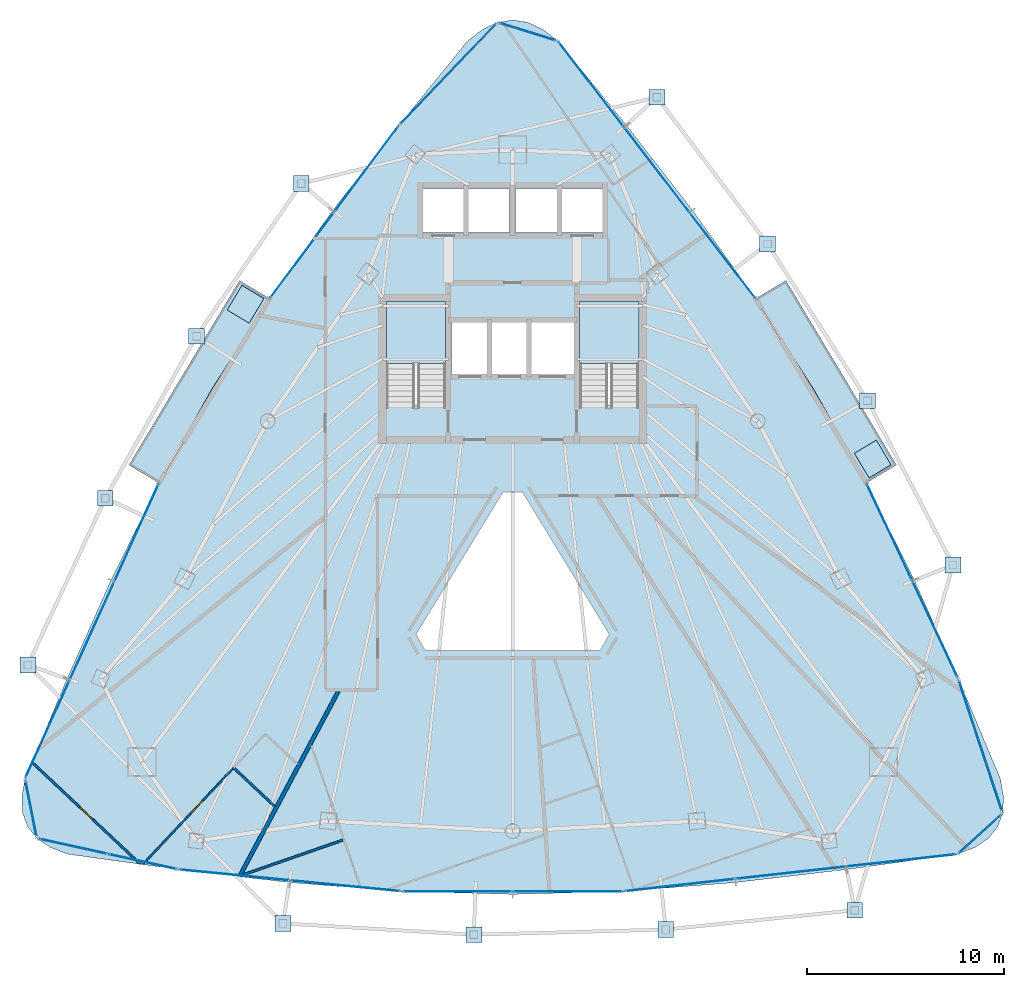
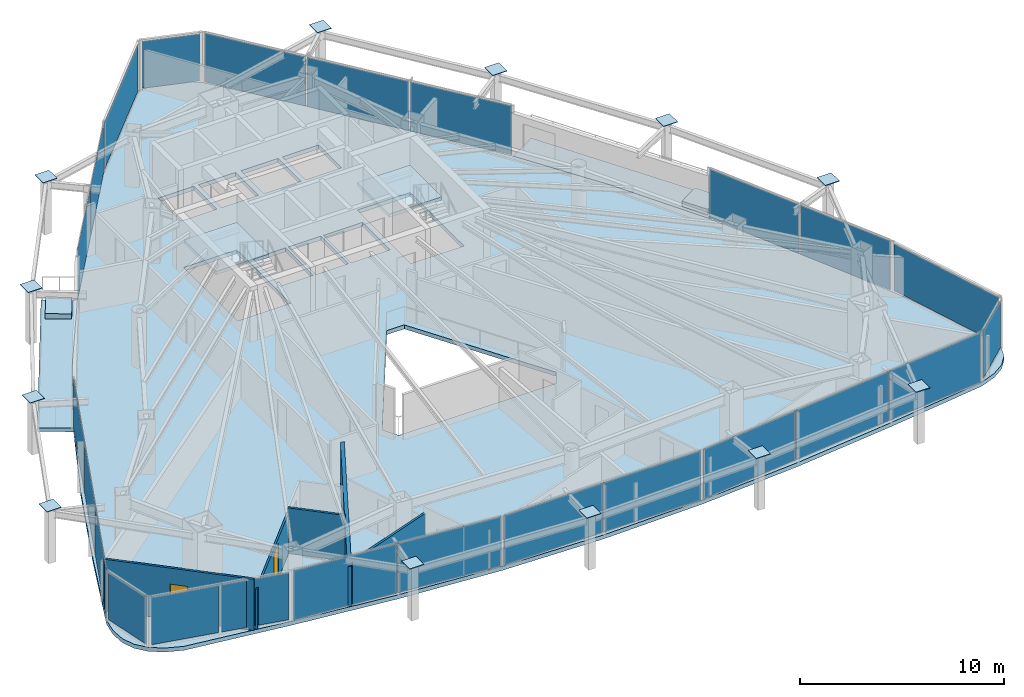
# One storey, part 23 of 29: 36 plates, 7 slabs, 5 walls, 2 doors, 2 openings, 15 elements without a shape of their own.
"""IFC4 building model written with IfcOpenShell, lengths in metres."""

from ifc_helpers import new_model, si_unit, direction, frame, frame_2d, origin, origin_2d, place, context, subcontext, project, spatial, polyline, rectangle, outline, extrude, material, layer, layer_set, type_object, element, fill, aggregate, save


model = new_model("IFC4")

# Units and contexts
model_context = context("Model", 3, precision=1e-05, world=origin(), true_north=direction((0.0, 1.0)))
body_context = subcontext(model_context, "Body", "Model", "MODEL_VIEW")
ifc_project = project(units=[si_unit("LENGTHUNIT", "METRE"), si_unit("AREAUNIT", "SQUARE_METRE"), si_unit("VOLUMEUNIT", "CUBIC_METRE"), si_unit("PLANEANGLEUNIT", "RADIAN"), si_unit("MASSUNIT", "GRAM", prefix="KILO")], contexts=[model_context])

# Site, building, storey
site_placement = place(None, origin())
site = spatial("IfcSite", under=ifc_project, at=site_placement, CompositionType="ELEMENT")
building_placement = place(site_placement, origin())
building = spatial("IfcBuilding", under=site, at=building_placement, Name="Orvanel Arch Residences", CompositionType="ELEMENT")
storey_placement = place(building_placement, frame((0.0, 0.0, 167.14990234375)))
storey = spatial("IfcBuildingStorey", under=building, at=storey_placement, Name="L47", CompositionType="ELEMENT", Elevation=167.14990234375)

# Plates
ifc_material_1 = material(Name="Structural steel AS/NZS 3678 Grade 350", Category="steel")
ifc_layer_1 = layer(ifc_material_1, 0.031982421875)
ifc_layer_set_1 = layer_set([ifc_layer_1], Name="Structural steel AS/NZS 3678 Grade 350")
plate_type_1 = type_object("IfcPlateType", Name="PL-CAP-32", PredefinedType="SHEET", material=ifc_layer_set_1)
for number, where, z_axis, x_axis, name in (
    (1, (22.27392578125, 39.69189453125, 3.2841796875), (0.0, 0.0, 1.0), (1.0, 0.0, 0.0), "L47 hollow member end cap plate"),
    (2, (16.958984375, 31.947998046875, 3.2841796875), (0.0, 0.0, 1.0), (1.0, 0.0, 0.0), "L47 hollow member end cap plate"),
    (3, (12.337890625, 23.73291015625, 3.2841796875), (0.0, 0.0, 1.0), (1.0, 0.0, 0.0), "L47 hollow member end cap plate"),
    (4, (8.408935546875, 15.27197265625, 3.2841796875), (0.0, 0.0, 1.0), (1.0, 0.0, 0.0), "L47 hollow member end cap plate"),
    (5, (21.345947265625, 2.1640625, 3.2841796875), (0.0, 0.0, 1.0), (1.0, 0.0, 0.0), "L47 hollow member end cap plate"),
    (6, (31.031005859375, 1.591064453125, 3.2841796875), (0.0, 0.0, 1.0), (1.0, 0.0, 0.0), "L47 hollow member end cap plate"),
    (7, (40.761962890625, 1.85302734375, 3.2841796875), (0.0, 0.0, 1.0), (1.0, 0.0, 0.0), "L47 hollow member end cap plate"),
    (8, (50.35302734375, 2.8349609375, 3.2841796875), (0.0, 0.0, 1.0), (1.0, 0.0, 0.0), "L47 hollow member end cap plate"),
    (9, (55.33203125, 20.343994140625, 3.2841796875), (0.0, 0.0, 1.0), (1.0, 0.0, 0.0), "L47 hollow member end cap plate"),
    (10, (51.0009765625, 28.678955078125, 3.2841796875), (0.0, 0.0, 1.0), (1.0, 0.0, 0.0), "L47 hollow member end cap plate"),
    (11, (45.929931640625, 36.6240234375, 3.2841796875), (0.0, 0.0, 1.0), (1.0, 0.0, 0.0), "L47 hollow member end cap plate"),
    (12, (40.31494140625, 44.072998046875, 3.2841796875), (0.0, 0.0, 1.0), (1.0, 0.0, 0.0), "L47 hollow member end cap plate"),
):
    element("IfcPlate", number, at=place(storey_placement, frame(where, z_axis=z_axis, x_axis=x_axis)), inside=storey, type_object=plate_type_1, Name=name, PredefinedType="SHEET", context=body_context, shape_type="SweptSolid", body=[
        extrude(rectangle(XDim=0.800048828125, YDim=0.800048828125, at=origin_2d()), origin(), (0.0, 0.0, 1.0), 0.031982421875),
    ])

# Curtain wall, plates
ifc_material_2 = material(Name="Bronze-anodised aluminium AA6063-T6", Category="aluminium")
ifc_layer_2 = layer(ifc_material_2, 0.179931640625)
ifc_layer_set_2 = layer_set([ifc_layer_2], Name="Bronze-anodised aluminium AA6063-T6")
curtain_wall_type_1 = type_object("IfcCurtainWallType", Name="CW3-MID-SYS", PredefinedType="NOTDEFINED", material=ifc_layer_set_2)
curtain_wall_1_placement = place(storey_placement, origin())
curtain_wall_1 = element("IfcCurtainWall", 13, at=curtain_wall_1_placement, inside=storey, type_object=curtain_wall_type_1, Name="L47 CW3-MID-SYS Unitised Curtain Wall", PredefinedType="NOTDEFINED")
ifc_material_3 = material(Name="Double-glazed solar-control low-E safety glass", Category="glass")
ifc_layer_3 = layer(ifc_material_3, 0.028076171875)
ifc_layer_set_3 = layer_set([ifc_layer_3], Name="Double-glazed solar-control low-E safety glass")
plate_type_2 = type_object("IfcPlateType", Name="PNL-GLZ-28", PredefinedType="CURTAIN_PANEL", material=ifc_layer_set_3)
plate_1_placement = place(storey_placement, frame((25.57177734375, 40.421875, 0.06005859375), z_axis=(0.0, 0.0, 1.0), x_axis=(-0.598064221794, -0.801448180864, 0.0)))
plate_1 = element("IfcPlate", 14, at=plate_1_placement, type_object=plate_type_2, Name="CW-S3 panel 1.1", PredefinedType="CURTAIN_PANEL", context=body_context, shape_type="SweptSolid", body=[
    extrude(rectangle(XDim=5.355224609375, YDim=0.028076171875, at=origin_2d()), origin(), (0.0, 0.0, 1.0), 2.93994140625),
])
plate_2_placement = place(storey_placement, frame((22.3271484375, 36.073974609375, 0.06005859375), z_axis=(0.0, 0.0, 1.0), x_axis=(-0.598064221794, -0.801448180864, 0.0)))
plate_2 = element("IfcPlate", 15, at=plate_2_placement, type_object=plate_type_2, Name="CW-S3 panel 2.1", PredefinedType="CURTAIN_PANEL", context=body_context, shape_type="SweptSolid", body=[
    extrude(rectangle(XDim=5.355224609375, YDim=0.028076171875, at=origin_2d()), origin(), (0.0, 0.0, 1.0), 2.93994140625),
])
aggregate(curtain_wall_1, [plate_1, plate_2])

curtain_wall_2_placement = place(storey_placement, origin())
curtain_wall_2 = element("IfcCurtainWall", 16, at=curtain_wall_2_placement, inside=storey, type_object=curtain_wall_type_1, Name="L47 CW3-MID-SYS Unitised Curtain Wall", PredefinedType="NOTDEFINED")
plate_3_placement = place(storey_placement, frame((13.917236328125, 21.977783203125, 0.06005859375), z_axis=(0.0, 0.0, 1.0), x_axis=(-0.412967925551, -0.910745569556, 0.0)))
plate_3 = element("IfcPlate", 17, at=plate_3_placement, type_object=plate_type_2, Name="CW-S3 panel 1.1", PredefinedType="CURTAIN_PANEL", context=body_context, shape_type="SweptSolid", body=[
    extrude(rectangle(XDim=5.3701171875, YDim=0.028076171875, at=origin_2d()), origin(), (0.0, 0.0, 1.0), 2.93994140625),
])
plate_4_placement = place(storey_placement, frame((11.66357421875, 17.007568359375, 0.06005859375), z_axis=(0.0, 0.0, 1.0), x_axis=(-0.412967925551, -0.910745569556, 0.0)))
plate_4 = element("IfcPlate", 18, at=plate_4_placement, type_object=plate_type_2, Name="CW-S3 panel 2.1", PredefinedType="CURTAIN_PANEL", context=body_context, shape_type="SweptSolid", body=[
    extrude(rectangle(XDim=5.405029296875, YDim=0.028076171875, at=origin_2d()), origin(), (0.0, 0.0, 1.0), 2.93994140625),
])
plate_5_placement = place(storey_placement, frame((9.40966796875, 12.037109375, 0.06005859375), z_axis=(0.0, 0.0, 1.0), x_axis=(-0.412967925551, -0.910745569556, 0.0)))
plate_5 = element("IfcPlate", 19, at=plate_5_placement, type_object=plate_type_2, Name="CW-S3 panel 3.1", PredefinedType="CURTAIN_PANEL", context=body_context, shape_type="SweptSolid", body=[
    extrude(rectangle(XDim=5.3701171875, YDim=0.028076171875, at=origin_2d()), origin(), (0.0, 0.0, 1.0), 2.93994140625),
])
aggregate(curtain_wall_2, [plate_3, plate_4, plate_5])

curtain_wall_3_placement = place(storey_placement, origin())
curtain_wall_3 = element("IfcCurtainWall", 20, at=curtain_wall_3_placement, inside=storey, type_object=curtain_wall_type_1, Name="L47 CW3-MID-SYS Unitised Curtain Wall", PredefinedType="NOTDEFINED")
plate_6_placement = place(storey_placement, frame((18.924072265625, 4.617431640625, 0.06005859375), z_axis=(0.0, 0.0, 1.0), x_axis=(0.995256463457, -0.097286031613, 0.0)))
plate_6 = element("IfcPlate", 21, at=plate_6_placement, type_object=plate_type_2, Name="CW-S3 panel 1.1", PredefinedType="CURTAIN_PANEL", context=body_context, shape_type="SweptSolid", body=[
    extrude(rectangle(XDim=5.543212890625, YDim=0.028076171875, at=origin_2d()), origin(), (0.0, 0.0, 1.0), 2.93994140625),
])
plate_7_placement = place(storey_placement, frame((24.5107421875, 4.071533203125, 0.06005859375), z_axis=(0.0, 0.0, 1.0), x_axis=(0.995256463457, -0.097286031613, 0.0)))
plate_7 = element("IfcPlate", 22, at=plate_7_placement, type_object=plate_type_2, Name="CW-S3 panel 2.1", PredefinedType="CURTAIN_PANEL", context=body_context, shape_type="SweptSolid", body=[
    extrude(rectangle(XDim=5.543212890625, YDim=0.028076171875, at=origin_2d()), origin(), (0.0, 0.0, 1.0), 2.93994140625),
])
aggregate(curtain_wall_3, [plate_6, plate_7])

curtain_wall_4_placement = place(storey_placement, origin())
curtain_wall_4 = element("IfcCurtainWall", 23, at=curtain_wall_4_placement, inside=storey, type_object=curtain_wall_type_1, Name="L47 CW3-MID-SYS Unitised Curtain Wall", PredefinedType="NOTDEFINED")
plate_8_placement = place(storey_placement, frame((30.20703125, 3.79296875, 0.06005859375), z_axis=(0.0, 0.0, 1.0), x_axis=(1.0, 0.0, 0.0)))
plate_8 = element("IfcPlate", 24, at=plate_8_placement, type_object=plate_type_2, Name="CW-S3 panel 1.1", PredefinedType="CURTAIN_PANEL", context=body_context, shape_type="SweptSolid", body=[
    extrude(rectangle(XDim=5.51611328125, YDim=0.028076171875, at=origin_2d()), origin(), (0.0, 0.0, 1.0), 2.93994140625),
])
plate_9_placement = place(storey_placement, frame((35.79296875, 3.79296875, 0.06005859375), z_axis=(0.0, 0.0, 1.0), x_axis=(1.0, 0.0, 0.0)))
plate_9 = element("IfcPlate", 25, at=plate_9_placement, type_object=plate_type_2, Name="CW-S3 panel 2.1", PredefinedType="CURTAIN_PANEL", context=body_context, shape_type="SweptSolid", body=[
    extrude(rectangle(XDim=5.51611328125, YDim=0.028076171875, at=origin_2d()), origin(), (0.0, 0.0, 1.0), 2.93994140625),
])
aggregate(curtain_wall_4, [plate_8, plate_9])

curtain_wall_5_placement = place(storey_placement, origin())
curtain_wall_5 = element("IfcCurtainWall", 26, at=curtain_wall_5_placement, inside=storey, type_object=curtain_wall_type_1, Name="L47 CW3-MID-SYS Unitised Curtain Wall", PredefinedType="NOTDEFINED")
plate_10_placement = place(storey_placement, frame((41.492431640625, 4.110107421875, 0.06005859375), z_axis=(0.0, 0.0, 1.0), x_axis=(0.993864337228, 0.11060596361, 0.0)))
plate_10 = element("IfcPlate", 27, at=plate_10_placement, type_object=plate_type_2, Name="CW-S3 panel 1.1", PredefinedType="CURTAIN_PANEL", context=body_context, shape_type="SweptSolid", body=[
    extrude(rectangle(XDim=5.557861328125, YDim=0.028076171875, at=origin_2d()), origin(), (0.0, 0.0, 1.0), 2.93994140625),
])
plate_11_placement = place(storey_placement, frame((47.10302734375, 4.734619140625, 0.06005859375), z_axis=(0.0, 0.0, 1.0), x_axis=(0.993864337228, 0.11060596361, 0.0)))
plate_11 = element("IfcPlate", 28, at=plate_11_placement, type_object=plate_type_2, Name="CW-S3 panel 2.1", PredefinedType="CURTAIN_PANEL", context=body_context, shape_type="SweptSolid", body=[
    extrude(rectangle(XDim=5.5927734375, YDim=0.028076171875, at=origin_2d()), origin(), (0.0, 0.0, 1.0), 2.93994140625),
])
plate_12_placement = place(storey_placement, frame((52.713623046875, 5.35888671875, 0.06005859375), z_axis=(0.0, 0.0, 1.0), x_axis=(0.993864337228, 0.11060596361, 0.0)))
plate_12 = element("IfcPlate", 29, at=plate_12_placement, type_object=plate_type_2, Name="CW-S3 panel 3.1", PredefinedType="CURTAIN_PANEL", context=body_context, shape_type="SweptSolid", body=[
    extrude(rectangle(XDim=5.557861328125, YDim=0.028076171875, at=origin_2d()), origin(), (0.0, 0.0, 1.0), 2.93994140625),
])
aggregate(curtain_wall_5, [plate_10, plate_11, plate_12])

curtain_wall_6_placement = place(storey_placement, origin())
curtain_wall_6 = element("IfcCurtainWall", 30, at=curtain_wall_6_placement, inside=storey, type_object=curtain_wall_type_1, Name="L47 CW3-MID-SYS Unitised Curtain Wall", PredefinedType="NOTDEFINED")
plate_13_placement = place(storey_placement, frame((54.423095703125, 17.09130859375, 0.06005859375), z_axis=(0.0, 0.0, 1.0), x_axis=(-0.42547064908, 0.904972224309, 0.0)))
plate_13 = element("IfcPlate", 31, at=plate_13_placement, type_object=plate_type_2, Name="CW-S3 panel 1.1", PredefinedType="CURTAIN_PANEL", context=body_context, shape_type="SweptSolid", body=[
    extrude(rectangle(XDim=5.354736328125, YDim=0.028076171875, at=origin_2d()), origin(), (0.0, 0.0, 1.0), 2.93994140625),
])
plate_14_placement = place(storey_placement, frame((52.114990234375, 22.000732421875, 0.06005859375), z_axis=(0.0, 0.0, 1.0), x_axis=(-0.42547064908, 0.904972224309, 0.0)))
plate_14 = element("IfcPlate", 32, at=plate_14_placement, type_object=plate_type_2, Name="CW-S3 panel 2.1", PredefinedType="CURTAIN_PANEL", context=body_context, shape_type="SweptSolid", body=[
    extrude(rectangle(XDim=5.354736328125, YDim=0.028076171875, at=origin_2d()), origin(), (0.0, 0.0, 1.0), 2.93994140625),
])
aggregate(curtain_wall_6, [plate_13, plate_14])

curtain_wall_7_placement = place(storey_placement, origin())
curtain_wall_7 = element("IfcCurtainWall", 33, at=curtain_wall_7_placement, inside=storey, type_object=curtain_wall_type_1, Name="L47 CW3-MID-SYS Unitised Curtain Wall", PredefinedType="NOTDEFINED")
plate_15_placement = place(storey_placement, frame((43.637939453125, 36.056884765625, 0.06005859375), z_axis=(0.0, 0.0, 1.0), x_axis=(-0.609098555317, 0.793094540336, 0.0)))
plate_15 = element("IfcPlate", 34, at=plate_15_placement, type_object=plate_type_2, Name="CW-S3 panel 1.1", PredefinedType="CURTAIN_PANEL", context=body_context, shape_type="SweptSolid", body=[
    extrude(rectangle(XDim=5.369873046875, YDim=0.028076171875, at=origin_2d()), origin(), (0.0, 0.0, 1.0), 2.93994140625),
])
plate_16_placement = place(storey_placement, frame((40.31396484375, 40.385009765625, 0.06005859375), z_axis=(0.0, 0.0, 1.0), x_axis=(-0.609098555317, 0.793094540336, 0.0)))
plate_16 = element("IfcPlate", 35, at=plate_16_placement, type_object=plate_type_2, Name="CW-S3 panel 2.1", PredefinedType="CURTAIN_PANEL", context=body_context, shape_type="SweptSolid", body=[
    extrude(rectangle(XDim=5.40478515625, YDim=0.028076171875, at=origin_2d()), origin(), (0.0, 0.0, 1.0), 2.93994140625),
])
plate_17_placement = place(storey_placement, frame((36.989990234375, 44.713134765625, 0.06005859375), z_axis=(0.0, 0.0, 1.0), x_axis=(-0.609098555317, 0.793094540336, 0.0)))
plate_17 = element("IfcPlate", 36, at=plate_17_placement, type_object=plate_type_2, Name="CW-S3 panel 3.1", PredefinedType="CURTAIN_PANEL", context=body_context, shape_type="SweptSolid", body=[
    extrude(rectangle(XDim=5.369873046875, YDim=0.028076171875, at=origin_2d()), origin(), (0.0, 0.0, 1.0), 2.93994140625),
])
aggregate(curtain_wall_7, [plate_15, plate_16, plate_17])

# Curtain wall, plate
ifc_layer_4 = layer(ifc_material_2, 0.18994140625)
ifc_layer_set_4 = layer_set([ifc_layer_4], Name="Bronze-anodised aluminium AA6063-T6")
curtain_wall_type_2 = type_object("IfcCurtainWallType", Name="CW5-CRN-SYS", PredefinedType="NOTDEFINED", material=ifc_layer_set_4)
curtain_wall_8_placement = place(storey_placement, origin())
curtain_wall_8 = element("IfcCurtainWall", 37, at=curtain_wall_8_placement, inside=storey, type_object=curtain_wall_type_2, Name="L47 CW5-CRN-SYS Unitised Curtain Wall", PredefinedType="NOTDEFINED")
ifc_layer_5 = layer(ifc_material_3, 0.031982421875)
ifc_layer_set_5 = layer_set([ifc_layer_5], Name="Double-glazed solar-control low-E safety glass")
plate_type_3 = type_object("IfcPlateType", Name="PNL-GLZ-32", PredefinedType="CURTAIN_PANEL", material=ifc_layer_set_5)
plate_18_placement = place(storey_placement, frame((33.7666015625, 47.39111328125, 0.1298828125), z_axis=(0.0, 0.0, 1.0), x_axis=(-0.954888565426, 0.296964354122, 0.0)))
plate_18 = element("IfcPlate", 38, at=plate_18_placement, type_object=plate_type_3, Name="CW-S5 panel 1.1", PredefinedType="CURTAIN_PANEL", context=body_context, shape_type="SweptSolid", body=[
    extrude(rectangle(XDim=2.8720703125, YDim=0.031982421875, at=origin_2d()), origin(), (0.0, 0.0, 1.0), 2.800048828125),
])
aggregate(curtain_wall_8, [plate_18])

curtain_wall_9_placement = place(storey_placement, origin())
curtain_wall_9 = element("IfcCurtainWall", 39, at=curtain_wall_9_placement, inside=storey, type_object=curtain_wall_type_2, Name="L47 CW5-CRN-SYS Unitised Curtain Wall", PredefinedType="NOTDEFINED")
plate_19_placement = place(storey_placement, frame((29.72998046875, 45.25390625, 0.1298828125), z_axis=(0.0, 0.0, 1.0), x_axis=(-0.69151906787, -0.72235820669, 0.0)))
plate_19 = element("IfcPlate", 40, at=plate_19_placement, type_object=plate_type_3, Name="CW-S5 panel 1.1", PredefinedType="CURTAIN_PANEL", context=body_context, shape_type="SweptSolid", body=[
    extrude(rectangle(XDim=6.898681640625, YDim=0.031982421875, at=origin_2d()), origin(), (0.0, 0.0, 1.0), 2.800048828125),
])
aggregate(curtain_wall_9, [plate_19])

curtain_wall_10_placement = place(storey_placement, origin())
curtain_wall_10 = element("IfcCurtainWall", 41, at=curtain_wall_10_placement, inside=storey, type_object=curtain_wall_type_2, Name="L47 CW5-CRN-SYS Unitised Curtain Wall", PredefinedType="NOTDEFINED")
plate_20_placement = place(storey_placement, frame((8.56591796875, 7.993408203125, 0.1298828125), z_axis=(0.0, 0.0, 1.0), x_axis=(0.195296868429, -0.980744173157, 0.0)))
plate_20 = element("IfcPlate", 42, at=plate_20_placement, type_object=plate_type_3, Name="CW-S5 panel 1.1", PredefinedType="CURTAIN_PANEL", context=body_context, shape_type="SweptSolid", body=[
    extrude(rectangle(XDim=2.751708984375, YDim=0.031982421875, at=origin_2d()), origin(), (0.0, 0.0, 1.0), 2.800048828125),
])
aggregate(curtain_wall_10, [plate_20])

# Curtain wall, plates
curtain_wall_11_placement = place(storey_placement, origin())
curtain_wall_11 = element("IfcCurtainWall", 43, at=curtain_wall_11_placement, inside=storey, type_object=curtain_wall_type_2, Name="L47 CW5-CRN-SYS Unitised Curtain Wall", PredefinedType="NOTDEFINED")
plate_21_placement = place(storey_placement, frame((10.716552734375, 6.07177734375, 0.1298828125), z_axis=(0.0, 0.0, 1.0), x_axis=(0.976757565807, -0.214347049523, 0.0)))
plate_21 = element("IfcPlate", 44, at=plate_21_placement, type_object=plate_type_3, Name="CW-S5 panel 1.1", PredefinedType="CURTAIN_PANEL", context=body_context, shape_type="SweptSolid", body=[
    extrude(rectangle(XDim=3.4443359375, YDim=0.031982421875, at=origin_2d()), origin(), (0.0, 0.0, 1.0), 2.800048828125),
])
plate_22_placement = place(storey_placement, frame((14.227294921875, 5.30126953125, 0.1298828125), z_axis=(0.0, 0.0, 1.0), x_axis=(0.976757565807, -0.214347049523, 0.0)))
plate_22 = element("IfcPlate", 45, at=plate_22_placement, type_object=plate_type_3, Name="CW-S5 panel 2.1", PredefinedType="CURTAIN_PANEL", context=body_context, shape_type="SweptSolid", body=[
    extrude(rectangle(XDim=3.4443359375, YDim=0.031982421875, at=origin_2d()), origin(), (0.0, 0.0, 1.0), 2.800048828125),
])
aggregate(curtain_wall_11, [plate_21, plate_22])

# Curtain wall, plate
curtain_wall_12_placement = place(storey_placement, origin())
curtain_wall_12 = element("IfcCurtainWall", 46, at=curtain_wall_12_placement, inside=storey, type_object=curtain_wall_type_2, Name="L47 CW5-CRN-SYS Unitised Curtain Wall", PredefinedType="NOTDEFINED")
plate_23_placement = place(storey_placement, frame((56.7099609375, 6.715576171875, 0.1298828125), z_axis=(0.0, 0.0, 1.0), x_axis=(0.740191958853, 0.672395615727, 0.0)))
plate_23 = element("IfcPlate", 47, at=plate_23_placement, type_object=plate_type_3, Name="CW-S5 panel 1.1", PredefinedType="CURTAIN_PANEL", context=body_context, shape_type="SweptSolid", body=[
    extrude(rectangle(XDim=2.753173828125, YDim=0.031982421875, at=origin_2d()), origin(), (0.0, 0.0, 1.0), 2.800048828125),
])
aggregate(curtain_wall_12, [plate_23])

curtain_wall_13_placement = place(storey_placement, origin())
curtain_wall_13 = element("IfcCurtainWall", 48, at=curtain_wall_13_placement, inside=storey, type_object=curtain_wall_type_2, Name="L47 CW5-CRN-SYS Unitised Curtain Wall", PredefinedType="NOTDEFINED")
plate_24_placement = place(storey_placement, frame((56.72802734375, 11.1708984375, 0.1298828125), z_axis=(0.0, 0.0, 1.0), x_axis=(-0.313374933239, 0.949629481018, 0.0)))
plate_24 = element("IfcPlate", 49, at=plate_24_placement, type_object=plate_type_3, Name="CW-S5 panel 1.1", PredefinedType="CURTAIN_PANEL", context=body_context, shape_type="SweptSolid", body=[
    extrude(rectangle(XDim=6.854248046875, YDim=0.031982421875, at=origin_2d()), origin(), (0.0, 0.0, 1.0), 2.800048828125),
])
aggregate(curtain_wall_13, [plate_24])

# Slabs
ifc_material_4 = material(Name="Concrete N40 (40 MPa)", Category="concrete")
ifc_layer_6 = layer(ifc_material_4, 0.215087890625)
ifc_layer_set_6 = layer_set([ifc_layer_6], Name="Concrete N40 (40 MPa)")
slab_type_1 = type_object("IfcSlabType", Name="SLB-BAL-215", PredefinedType="FLOOR", material=ifc_layer_set_6)
slab_1_placement = place(storey_placement, frame((0.0, 0.0, -0.21484375)))
element("IfcSlab", 50, at=slab_1_placement, inside=storey, type_object=slab_type_1, Name="L47 Cantilevered Balcony Slab Face 3", PredefinedType="FLOOR", context=body_context, shape_type="SweptSolid", body=[
    extrude(outline(polyline([(52.464111328125, 25.4208984375), (46.85498046875, 34.77197265625), (45.327880859375, 33.85595703125), (48.26611328125, 29.260009765625), (50.93701171875, 24.5048828125), (52.464111328125, 25.4208984375)])), origin(), (0.0, 0.0, 1.0), 0.21484375),
])
slab_2_placement = place(storey_placement, frame((0.0, 0.0, -0.21484375)))
element("IfcSlab", 51, at=slab_2_placement, inside=storey, type_object=slab_type_1, Name="L47 Cantilevered Balcony Slab Face 1", PredefinedType="FLOOR", context=body_context, shape_type="SweptSolid", body=[
    extrude(outline(polyline([(19.14501953125, 34.77197265625), (13.535888671875, 25.4208984375), (15.06298828125, 24.5048828125), (17.73388671875, 29.260009765625), (20.672119140625, 33.85595703125), (19.14501953125, 34.77197265625)])), origin(), (0.0, 0.0, 1.0), 0.21484375),
])

# Stair, slab
ifc_material_5 = material(Name="Precast concrete N50 (50 MPa)", Category="concrete")
stair_type = type_object("IfcStairType", Name="STR-DOG-184", PredefinedType="USERDEFINED", material=ifc_material_5)
stair_1_placement = place(storey_placement, origin())
stair_1 = element("IfcStair", 52, at=stair_1_placement, inside=storey, type_object=stair_type, Name="L47 Fire-Isolated Core Exit Stair 1", ObjectType="TWO_RETURN_STAIR", PredefinedType="USERDEFINED")
ifc_layer_7 = layer(ifc_material_4, 0.199951171875)
ifc_layer_set_7 = layer_set([ifc_layer_7], Name="Concrete N40 (40 MPa)")
slab_type_2 = type_object("IfcSlabType", Name="SLB-LND-200", PredefinedType="LANDING", material=ifc_layer_set_7)
slab_3_placement = place(storey_placement, frame((0.0, 0.0, 1.4501953125)))
slab_3 = element("IfcSlab", 53, at=slab_3_placement, type_object=slab_type_2, Name="ST-1 landing 1", PredefinedType="LANDING", context=body_context, shape_type="SweptSolid", body=[
    extrude(outline(polyline([(29.60009765625, 30.56005859375), (29.60009765625, 33.699951171875), (26.60009765625, 33.699951171875), (26.60009765625, 30.56005859375), (29.60009765625, 30.56005859375)])), origin(), (0.0, 0.0, 1.0), 0.199951171875),
])
aggregate(stair_1, [slab_3])

stair_2_placement = place(storey_placement, origin())
stair_2 = element("IfcStair", 54, at=stair_2_placement, inside=storey, type_object=stair_type, Name="L47 Fire-Isolated Core Exit Stair 2", ObjectType="TWO_RETURN_STAIR", PredefinedType="USERDEFINED")
slab_4_placement = place(storey_placement, frame((0.0, 0.0, 1.4501953125)))
slab_4 = element("IfcSlab", 55, at=slab_4_placement, type_object=slab_type_2, Name="ST-2 landing 1", PredefinedType="LANDING", context=body_context, shape_type="SweptSolid", body=[
    extrude(outline(polyline([(39.39990234375, 30.56005859375), (39.39990234375, 33.699951171875), (36.39990234375, 33.699951171875), (36.39990234375, 30.56005859375), (39.39990234375, 30.56005859375)])), origin(), (0.0, 0.0, 1.0), 0.199951171875),
])
aggregate(stair_2, [slab_4])

# Slabs
ifc_material_6 = material(Name="Structural architectural precast concrete N40 (40 MPa) planter", Category="concrete")
ifc_layer_8 = layer(ifc_material_6, 0.320068359375)
ifc_layer_set_8 = layer_set([ifc_layer_8], Name="Structural architectural precast concrete N40 (40 MPa) planter")
slab_type_3 = type_object("IfcSlabType", Name="SLB-PLN-320", PredefinedType="USERDEFINED", material=ifc_layer_set_8)
slab_5_placement = place(storey_placement, origin())
element("IfcSlab", 56, at=slab_5_placement, inside=storey, type_object=slab_type_3, Name="L47 Balcony TREE PLANTER Face 3", ObjectType="PLANTER", PredefinedType="USERDEFINED", context=body_context, shape_type="SweptSolid", body=[
    extrude(outline(polyline([(52.18896484375, 25.430908203125), (51.444091796875, 26.675048828125), (50.3291015625, 26.006103515625), (51.074951171875, 24.761962890625), (52.18896484375, 25.430908203125)])), origin(), (0.0, 0.0, 1.0), 0.320068359375),
])
slab_6_placement = place(storey_placement, origin())
element("IfcSlab", 57, at=slab_6_placement, inside=storey, type_object=slab_type_3, Name="L47 Balcony TREE PLANTER Face 1", ObjectType="PLANTER", PredefinedType="USERDEFINED", context=body_context, shape_type="SweptSolid", body=[
    extrude(outline(polyline([(19.264892578125, 34.52490234375), (18.51904296875, 33.281005859375), (19.634033203125, 32.613037109375), (20.3798828125, 33.85595703125), (19.264892578125, 34.52490234375)])), origin(), (0.0, 0.0, 1.0), 0.320068359375),
])
ifc_layer_9 = layer(ifc_material_4, 0.239990234375)
ifc_layer_set_9 = layer_set([ifc_layer_9], Name="Concrete N40 (40 MPa)")
slab_type_4 = type_object("IfcSlabType", Name="SLB-TYP-240", PredefinedType="FLOOR", material=ifc_layer_set_9)
slab_7_placement = place(storey_placement, frame((0.0, 0.0, -0.239990234375)))
element("IfcSlab", 58, at=slab_7_placement, inside=storey, type_object=slab_type_4, Name="L47 Tower Floor Slab", PredefinedType="FLOOR", context=body_context, shape_type="SweptSolid", body=[
    extrude(outline(polyline([(35.300048828125, 46.9140625), (34.532958984375, 47.510009765625), (33.76708984375, 47.867919921875), (33.0, 47.988037109375), (32.23291015625, 47.867919921875), (31.467041015625, 47.510009765625), (30.699951171875, 46.9140625), (27.22705078125, 42.639892578125), (23.85498046875, 38.303955078125), (20.672119140625, 33.85595703125), (17.73388671875, 29.260009765625), (15.06298828125, 24.5048828125), (12.636962890625, 19.60205078125), (10.39892578125, 14.5869140625), (8.263916015625, 9.510009765625), (8.09912109375, 8.572998046875), (8.14501953125, 7.7548828125), (8.40087890625, 7.055908203125), (8.867919921875, 6.47705078125), (9.5458984375, 6.01708984375), (10.43505859375, 5.676025390625), (16.075927734375, 4.89599609375), (21.717041015625, 4.235107421875), (27.35888671875, 3.79296875), (33.0, 3.637939453125), (38.64111328125, 3.79296875), (44.282958984375, 4.235107421875), (49.924072265625, 4.89599609375), (55.56494140625, 5.676025390625), (56.4541015625, 6.01708984375), (57.132080078125, 6.47705078125), (57.59912109375, 7.055908203125), (57.85498046875, 7.7548828125), (57.90087890625, 8.572998046875), (57.736083984375, 9.510009765625), (55.60107421875, 14.5869140625), (53.363037109375, 19.60205078125), (50.93701171875, 24.5048828125), (48.26611328125, 29.260009765625), (45.327880859375, 33.85595703125), (42.14501953125, 38.303955078125), (38.77294921875, 42.639892578125), (35.300048828125, 46.9140625)]), holes=[polyline([(26.60009765625, 28.429931640625), (26.60009765625, 33.699951171875), (29.60009765625, 33.699951171875), (29.60009765625, 28.429931640625), (26.60009765625, 28.429931640625)]), polyline([(36.39990234375, 28.429931640625), (36.39990234375, 33.699951171875), (39.39990234375, 33.699951171875), (39.39990234375, 28.429931640625), (36.39990234375, 28.429931640625)]), polyline([(29.89990234375, 32.64990234375), (31.75, 32.64990234375), (31.75, 29.949951171875), (29.89990234375, 29.949951171875), (29.89990234375, 32.64990234375)]), polyline([(31.89990234375, 32.64990234375), (33.75, 32.64990234375), (33.75, 29.949951171875), (31.89990234375, 29.949951171875), (31.89990234375, 32.64990234375)]), polyline([(33.89990234375, 32.64990234375), (36.10009765625, 32.64990234375), (36.10009765625, 29.949951171875), (33.89990234375, 29.949951171875), (33.89990234375, 32.64990234375)]), polyline([(28.449951171875, 39.449951171875), (30.5, 39.449951171875), (30.5, 37.199951171875), (28.449951171875, 37.199951171875), (28.449951171875, 39.449951171875)]), polyline([(35.5, 39.449951171875), (37.550048828125, 39.449951171875), (37.550048828125, 37.199951171875), (35.5, 37.199951171875), (35.5, 39.449951171875)]), polyline([(30.75, 39.449951171875), (32.85009765625, 39.449951171875), (32.85009765625, 37.199951171875), (30.75, 37.199951171875), (30.75, 39.449951171875)]), polyline([(33.14990234375, 39.449951171875), (35.25, 39.449951171875), (35.25, 37.199951171875), (33.14990234375, 37.199951171875), (33.14990234375, 39.449951171875)]), polyline([(37.909912109375, 16.8310546875), (37.452880859375, 16.01708984375), (28.547119140625, 16.01708984375), (28.090087890625, 16.8310546875), (32.501953125, 24.049072265625), (33.498046875, 24.049072265625), (37.909912109375, 16.8310546875)])]), origin(), (0.0, 0.0, 1.0), 0.239990234375),
])

# Wall
ifc_material_7 = material(Name="Fire-rated plasterboard lined steel stud partition", Category="steel")
ifc_layer_10 = layer(ifc_material_7, 0.199951171875)
ifc_layer_set_10 = layer_set([ifc_layer_10], Name="Fire-rated plasterboard lined steel stud partition")
wall_type_1 = type_object("IfcWallType", Name="W-DEM-200", PredefinedType="PARTITIONING", material=ifc_layer_set_10)
wall_1_placement = place(storey_placement, frame((19.14501953125, 4.550048828125, 0.0), z_axis=(0.0, 0.0, 1.0), x_axis=(0.470953669838, 0.882157945533, 0.0)))
element("IfcWall", 59, at=wall_1_placement, inside=storey, type_object=wall_type_1, Name="L47 Inter-Tenancy Acoustic Demising Wall", PredefinedType="PARTITIONING", context=body_context, shape_type="SweptSolid", body=[
    extrude(rectangle(XDim=10.644287109375, YDim=0.199951171875, at=frame_2d((5.322265625, 0.0))), origin(), (0.0, 0.0, 1.0), 2.4130859375),
])

# Wall, opening, door
ifc_material_8 = material(Name="Acoustic plasterboard lined twin-stud partition", Category="gypsum")
ifc_layer_11 = layer(ifc_material_8, 0.10009765625)
ifc_layer_set_11 = layer_set([ifc_layer_11], Name="Acoustic plasterboard lined twin-stud partition")
wall_type_2 = type_object("IfcWallType", Name="W-INT-100", PredefinedType="PARTITIONING", material=ifc_layer_set_11)
wall_2_placement = place(storey_placement, frame((18.843017578125, 10.06005859375, 0.0), z_axis=(0.0, 0.0, 1.0), x_axis=(-0.6848274704, -0.728705246163, 0.0)))
wall_2 = element("IfcWall", 60, at=wall_2_placement, inside=storey, type_object=wall_type_2, Name="L47 Flat C Internal Partition", PredefinedType="PARTITIONING", context=body_context, shape_type="SweptSolid", body=[
    extrude(rectangle(XDim=6.721435546875, YDim=0.10009765625, at=frame_2d((3.36083984375, 0.0))), origin(), (0.0, 0.0, 1.0), 2.4130859375),
])
opening_1_placement = place(wall_2_placement, frame((2.282958984375, 0.0, 0.0)))
opening_1 = element("IfcOpeningElement", 61, at=opening_1_placement, cuts=wall_2, Name="Opening DI-088", PredefinedType="OPENING", context=body_context, shape_type="SweptSolid", body=[
    extrude(rectangle(XDim=0.8798828125, YDim=2.10009765625, at=frame_2d((0.43994140625, 1.050048828125))), frame((0.0, 0.06005859375, 0.0), z_axis=(0.0, -1.0, 0.0), x_axis=(1.0, 0.0, 0.0)), (0.0, 0.0, 1.0), 0.1201171875),
])
ifc_material_9 = material(Name="Solid-core European oak veneer fire door leaf", Category="wood")
door_type = type_object("IfcDoorType", Name="DR-INT-880", OperationType="NOTDEFINED", PredefinedType="DOOR", material=ifc_material_9)
door_1_placement = place(opening_1_placement, origin())
door_1 = element("IfcDoor", 62, at=door_1_placement, inside=storey, type_object=door_type, Name="DR-L47-C-BED1 L47 Flat C Bedroom 1 Door", OperationType="SINGLE_SWING_LEFT", OverallHeight=2.10009765625, OverallWidth=0.8798828125, PredefinedType="DOOR", context=body_context, shape_type="SweptSolid", body=[
    extrude(rectangle(XDim=0.8798828125, YDim=2.10009765625, at=frame_2d((0.43994140625, 1.050048828125))), frame((0.0, 0.02490234375, 0.0), z_axis=(0.0, -1.0, 0.0), x_axis=(1.0, 0.0, 0.0)), (0.0, 0.0, 1.0), 0.050048828125),
])
fill(opening_1, door_1)

# Wall
ifc_layer_12 = layer(ifc_material_8, 0.1201171875)
ifc_layer_set_12 = layer_set([ifc_layer_12], Name="Acoustic plasterboard lined twin-stud partition")
wall_type_3 = type_object("IfcWallType", Name="W-WET-120", PredefinedType="PARTITIONING", material=ifc_layer_set_12)
wall_3_placement = place(storey_placement, frame((19.27587890625, 4.614013671875, 0.0), z_axis=(0.0, 0.0, 1.0), x_axis=(0.944496796706, 0.328520624941, 0.0)))
element("IfcWall", 63, at=wall_3_placement, inside=storey, type_object=wall_type_3, Name="L47 Studio B Internal Partition", PredefinedType="PARTITIONING", context=body_context, shape_type="SweptSolid", body=[
    extrude(rectangle(XDim=5.469482421875, YDim=0.1201171875, at=frame_2d((2.73486328125, 0.0))), origin(), (0.0, 0.0, 1.0), 2.619140625),
])

# Wall, opening, door
wall_4_placement = place(storey_placement, frame((14.10791015625, 5.177001953125, 0.0), z_axis=(0.0, 0.0, 1.0), x_axis=(-0.728745526687, 0.684784606525, 0.0)))
wall_4 = element("IfcWall", 64, at=wall_4_placement, inside=storey, type_object=wall_type_3, Name="L47 Flat C Internal Partition", PredefinedType="PARTITIONING", context=body_context, shape_type="SweptSolid", body=[
    extrude(rectangle(XDim=7.525146484375, YDim=0.1201171875, at=frame_2d((3.7626953125, 0.0))), origin(), (0.0, 0.0, 1.0), 3.06005859375),
])
opening_2_placement = place(wall_4_placement, frame((3.322998046875, 0.0, 0.0)))
opening_2 = element("IfcOpeningElement", 65, at=opening_2_placement, cuts=wall_4, Name="Opening DI-088", PredefinedType="OPENING", context=body_context, shape_type="SweptSolid", body=[
    extrude(rectangle(XDim=0.8798828125, YDim=2.10009765625, at=frame_2d((0.43994140625, 1.050048828125))), frame((0.0, 0.070068359375, 0.0), z_axis=(0.0, -1.0, 0.0), x_axis=(1.0, 0.0, 0.0)), (0.0, 0.0, 1.0), 0.14013671875),
])
door_2_placement = place(opening_2_placement, origin())
door_2 = element("IfcDoor", 66, at=door_2_placement, inside=storey, type_object=door_type, Name="DR-L47-C-KIT L47 Flat C Kitchen Door", OperationType="SINGLE_SWING_LEFT", OverallHeight=2.10009765625, OverallWidth=0.8798828125, PredefinedType="DOOR", context=body_context, shape_type="SweptSolid", body=[
    extrude(rectangle(XDim=0.8798828125, YDim=2.10009765625, at=frame_2d((0.43994140625, 1.050048828125))), frame((0.0, 0.02490234375, 0.0), z_axis=(0.0, -1.0, 0.0), x_axis=(1.0, 0.0, 0.0)), (0.0, 0.0, 1.0), 0.050048828125),
])
fill(opening_2, door_2)

# Wall
wall_5_placement = place(storey_placement, frame((20.93896484375, 8.090087890625, 0.0), z_axis=(0.0, 0.0, 1.0), x_axis=(-0.728665789254, 0.68486945294, 0.0)))
element("IfcWall", 67, at=wall_5_placement, inside=storey, type_object=wall_type_3, Name="L47 Flat C Bathroom Partition", PredefinedType="PARTITIONING", context=body_context, shape_type="SweptSolid", body=[
    extrude(rectangle(XDim=2.87646484375, YDim=0.1201171875, at=frame_2d((1.438232421875, 0.0))), origin(), (0.0, 0.0, 1.0), 2.72119140625),
])

save(model, "model.ifc")
